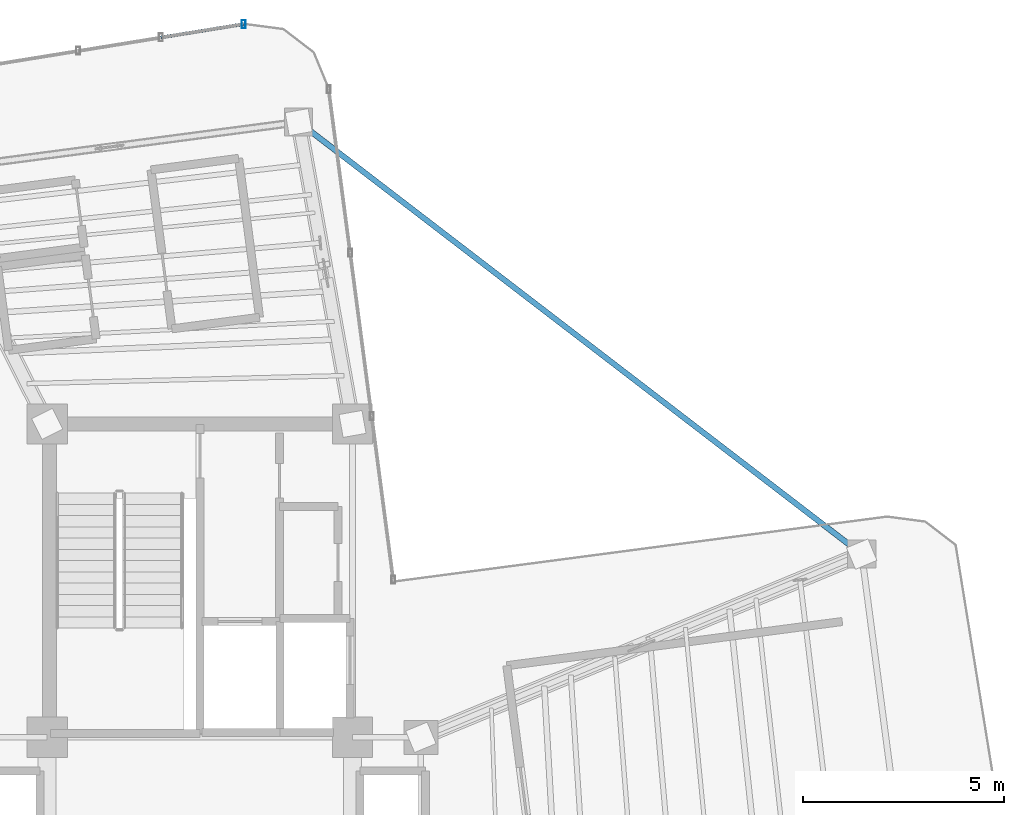
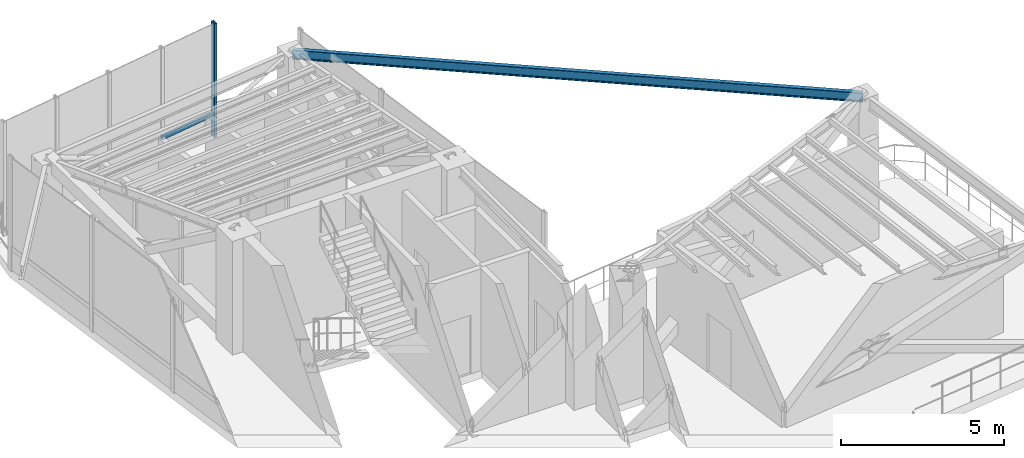
# One storey, part 10 of 17: 2 members, 1 beam, 1 element without a shape of its own.
"""IFC4 building model written with IfcOpenShell, lengths in metres."""

import ifcopenshell
import ifcopenshell.guid

model = None  # the IFC model being written
_history = None  # IfcOwnerHistory: only IFC2X3 demands one
_inside = {}  # id of a spatial element -> (the spatial element, [elements in it])
_under = {}  # id of a project, library or spatial element -> (it, [spatial elements below it])
_declared = {}  # id of a project -> (the project, [libraries it declares])
_typed = {}  # id of a type object -> (the type object, [elements of that type])
_made_of = {}  # id of a material, layer set ... -> (it, [elements and type objects made of it])


def new_model(schema):
    """Start an empty IFC model of exactly this schema.

    Asked for "IFC4X3", IfcOpenShell would pick the latest addendum, in which some entities
    have other attributes; the version numbers below select the first issue.
    IFC2X3 requires an IfcOwnerHistory on every rooted entity: one is made here for all.
    """
    global model, _history
    if schema == "IFC4X3":
        model = ifcopenshell.file(schema_version=(4, 3, 0, 0))
    else:
        model = ifcopenshell.file(schema=schema)
    _inside.clear()
    _under.clear()
    _declared.clear()
    _typed.clear()
    _made_of.clear()
    _history = None
    if model.schema == "IFC2X3":
        org = make("IfcOrganization", Name="unknown")
        user = make(
            "IfcPersonAndOrganization",
            ThePerson=make("IfcPerson", FamilyName="unknown"),
            TheOrganization=org,
        )
        app = make(
            "IfcApplication",
            ApplicationDeveloper=org,
            Version="unknown",
            ApplicationFullName="unknown",
            ApplicationIdentifier="unknown",
        )
        _history = make(
            "IfcOwnerHistory",
            OwningUser=user,
            OwningApplication=app,
            ChangeAction="ADDED",
            CreationDate=0,
        )
    return model


def make(cls, **values):
    """One entity of the class cls with the attributes given. An attribute that is None is left unset."""
    return model.create_entity(
        cls, **{name: value for name, value in values.items() if value is not None}
    )


def rooted(cls, **values):
    """An entity with a GlobalId (a new one), such as an element, a storey or a relation."""
    return make(cls, GlobalId=ifcopenshell.guid.new(), OwnerHistory=_history, **values)


def si_unit(unit_type, name, prefix=None):
    """IfcSIUnit, for example si_unit("LENGTHUNIT", "METRE", prefix="MILLI")."""
    return make("IfcSIUnit", UnitType=unit_type, Prefix=prefix, Name=name)


def assignment(units):
    """IfcUnitAssignment: the units of a project."""
    return None if units is None else make("IfcUnitAssignment", Units=units)


def point(xyz):
    """IfcCartesianPoint."""
    return None if xyz is None else make("IfcCartesianPoint", Coordinates=xyz)


def direction(xyz):
    """IfcDirection."""
    return None if xyz is None else make("IfcDirection", DirectionRatios=xyz)


def frame(location, z_axis=None, x_axis=None):
    """IfcAxis2Placement3D, a coordinate frame: its origin and axes. An axis left out is left unset."""
    return make(
        "IfcAxis2Placement3D",
        Location=point(location),
        Axis=direction(z_axis),
        RefDirection=direction(x_axis),
    )


def frame_2d(location, x_axis=None):
    """IfcAxis2Placement2D, a coordinate frame in the plane: its origin and x axis."""
    return make(
        "IfcAxis2Placement2D", Location=point(location), RefDirection=direction(x_axis)
    )


def origin():
    """The frame at (0, 0, 0) with its axes left unset."""
    return frame((0.0, 0.0, 0.0))


def origin_2d():
    """The frame at (0, 0) in the plane with its x axis left unset."""
    return frame_2d((0.0, 0.0))


def place(relative_to, where):
    """IfcLocalPlacement: puts the frame where relative to a parent placement (None: the world)."""
    return make(
        "IfcLocalPlacement", PlacementRelTo=relative_to, RelativePlacement=where
    )


def context(
    kind, dimensions, precision=None, world=None, true_north=None, identifier=None
):
    """IfcGeometricRepresentationContext, for example the 3D "Model" context."""
    return make(
        "IfcGeometricRepresentationContext",
        ContextIdentifier=identifier,
        ContextType=kind,
        CoordinateSpaceDimension=dimensions,
        Precision=precision,
        WorldCoordinateSystem=world,
        TrueNorth=true_north,
    )


def subcontext(parent, identifier, kind, view, scale=None):
    """IfcGeometricRepresentationSubContext, for example "Body" below "Model"."""
    return make(
        "IfcGeometricRepresentationSubContext",
        ContextIdentifier=identifier,
        ContextType=kind,
        ParentContext=parent,
        TargetScale=scale,
        TargetView=view,
    )


def project(units=None, contexts=None):
    """IfcProject with its units and contexts."""
    return rooted(
        "IfcProject",
        Name="project",
        RepresentationContexts=contexts,
        UnitsInContext=assignment(units),
    )


def spatial(cls, under=None, at=None, **own):
    """A site, building, storey or space (cls), placed at a placement, below another one or the project."""
    s = rooted(cls, ObjectPlacement=at, **own)
    if under is not None:
        _under.setdefault(under.id(), (under, []))[1].append(s)
    return s


def profile(cls, at=None, kind="AREA", **sizes):
    """A parametric profile (cls). Its sizes go by their IFC names, for example OverallWidth=200.0."""
    return make(cls, ProfileType=kind, Position=at, **sizes)


def hollow_rectangle(**sizes):
    """IfcRectangleHollowProfileDef."""
    return profile("IfcRectangleHollowProfileDef", **sizes)


def i_section(**sizes):
    """IfcIShapeProfileDef."""
    return profile("IfcIShapeProfileDef", **sizes)


def extrude(swept, where, along, depth):
    """IfcExtrudedAreaSolid: the profile swept, set in the frame where, extruded along a direction by depth."""
    return make(
        "IfcExtrudedAreaSolid",
        SweptArea=swept,
        Position=where,
        ExtrudedDirection=direction(along),
        Depth=depth,
    )


def shape(context_of_items, identifier, shape_type, items):
    """IfcShapeRepresentation: the items that make up one representation, for example the "Body"."""
    return make(
        "IfcShapeRepresentation",
        ContextOfItems=context_of_items,
        RepresentationIdentifier=identifier,
        RepresentationType=shape_type,
        Items=items,
    )


def source(mapping_origin, context_of_items, identifier, shape_type, items):
    """IfcRepresentationMap: a shape defined once, which mapped items show again and again."""
    return make(
        "IfcRepresentationMap",
        MappingOrigin=mapping_origin,
        MappedRepresentation=shape(context_of_items, identifier, shape_type, items),
    )


def transform(
    local_origin,
    x_axis=None,
    y_axis=None,
    z_axis=None,
    scale=None,
    scale2=None,
    scale3=None,
    uniform=True,
):
    """IfcCartesianTransformationOperator3D, or its non-uniform kind. x_axis, y_axis, z_axis: its Axis1, 2, 3."""
    if uniform:
        return make(
            "IfcCartesianTransformationOperator3D",
            Axis1=direction(x_axis),
            Axis2=direction(y_axis),
            LocalOrigin=point(local_origin),
            Scale=scale,
            Axis3=direction(z_axis),
        )
    return make(
        "IfcCartesianTransformationOperator3DnonUniform",
        Axis1=direction(x_axis),
        Axis2=direction(y_axis),
        LocalOrigin=point(local_origin),
        Scale=scale,
        Axis3=direction(z_axis),
        Scale2=scale2,
        Scale3=scale3,
    )


def mapped(mapping_source, mapping_target):
    """IfcMappedItem: shows the shape of a source again, moved by a transform."""
    return make(
        "IfcMappedItem", MappingSource=mapping_source, MappingTarget=mapping_target
    )


def material(Name=None, Category=None):
    """IfcMaterial."""
    return make("IfcMaterial", Name=Name, Category=Category)


def material_profile(
    of_material, cross_section, Name=None, Category=None, Priority=None
):
    """IfcMaterialProfile: a cross section and its material."""
    return make(
        "IfcMaterialProfile",
        Name=Name,
        Material=of_material,
        Profile=cross_section,
        Priority=Priority,
        Category=Category,
    )


def profile_set(profiles, Name=None, composite=None):
    """IfcMaterialProfileSet."""
    return make(
        "IfcMaterialProfileSet",
        Name=Name,
        MaterialProfiles=profiles,
        CompositeProfile=composite,
    )


def made_of(thing, what):
    """Note that an element or type object is made of a material, layer set ...; save() writes the relation."""
    if what is not None:
        _made_of.setdefault(what.id(), (what, []))[1].append(thing)
    return thing


def type_object(cls, material=None, **own):
    """A type object (cls), such as IfcWallType, which elements share."""
    return made_of(rooted(cls, **own), material)


def element(
    cls,
    number,
    at=None,
    inside=None,
    cuts=None,
    type_object=None,
    material=None,
    context=None,
    identifier="Body",
    shape_type=None,
    held_by="IfcProductDefinitionShape",
    body=None,
    shapes=None,
    **own,
):
    """One element of the class cls, such as IfcWall. Its Tag is "e" and its number.

    at: its placement. inside: the storey or other place that contains it. cuts: it is an
    opening in that element (IfcRelVoidsElement). A single representation is given by context,
    identifier, shape_type and body (its items); several are given by shapes. held_by: the class
    of the entity that holds the representations. save() writes the other relations.
    """
    e = rooted(cls, Tag="e%d" % number, ObjectPlacement=at, **own)
    if body is not None:
        shapes = [shape(context, identifier, shape_type, body)]
    if shapes is not None:
        e.Representation = make(held_by, Representations=shapes)
    if inside is not None:
        _inside.setdefault(inside.id(), (inside, []))[1].append(e)
    if cuts is not None:
        rooted(
            "IfcRelVoidsElement", RelatingBuildingElement=cuts, RelatedOpeningElement=e
        )
    if type_object is not None:
        _typed.setdefault(type_object.id(), (type_object, []))[1].append(e)
    return made_of(e, material)


def aggregate(whole, parts):
    """IfcRelAggregates: a whole, such as a stair, and the parts it consists of."""
    return rooted("IfcRelAggregates", RelatingObject=whole, RelatedObjects=parts)


def save(model, path):
    """Write the relations noted so far, then the file.

    IfcRelAggregates (storeys below a building ...), IfcRelContainedInSpatialStructure (elements
    in a storey), IfcRelDefinesByType, IfcRelAssociatesMaterial and IfcRelDeclares: one each for
    every whole, place, type object, material and project.
    """
    for whole, parts in _under.values():
        aggregate(whole, parts)
    for where, things in _inside.values():
        rooted(
            "IfcRelContainedInSpatialStructure",
            RelatedElements=things,
            RelatingStructure=where,
        )
    for kind, things in _typed.values():
        rooted("IfcRelDefinesByType", RelatedObjects=things, RelatingType=kind)
    for what, things in _made_of.values():
        rooted("IfcRelAssociatesMaterial", RelatedObjects=things, RelatingMaterial=what)
    for by, libraries in _declared.values():
        rooted("IfcRelDeclares", RelatingContext=by, RelatedDefinitions=libraries)
    model.write(path)


model = new_model("IFC4")

# Units and contexts
model_context = context("Model", 3, precision=1e-05, world=origin(), true_north=direction((0.0, 1.0)))
body_context = subcontext(model_context, "Body", "Model", "MODEL_VIEW")
ifc_project = project(units=[si_unit("LENGTHUNIT", "METRE"), si_unit("AREAUNIT", "SQUARE_METRE"), si_unit("VOLUMEUNIT", "CUBIC_METRE"), si_unit("PLANEANGLEUNIT", "RADIAN"), si_unit("MASSUNIT", "GRAM", prefix="KILO")], contexts=[model_context])

# Site, building, storey
site_placement = place(None, origin())
site = spatial("IfcSite", under=ifc_project, at=site_placement, CompositionType="ELEMENT")
building_placement = place(site_placement, origin())
building = spatial("IfcBuilding", under=site, at=building_placement, Name="Sahyath Konkavel Grand Hotel", CompositionType="ELEMENT")
storey_placement = place(building_placement, frame((0.0, 0.0, 264.60009765625)))
storey = spatial("IfcBuildingStorey", under=building, at=storey_placement, Name="L74", CompositionType="ELEMENT", Elevation=264.60009765625)

# Beam
ifc_material_1 = material(Name="Steel E350", Category="steel")
ifc_material_profile_1 = material_profile(ifc_material_1, i_section(OverallWidth=0.139892578125, OverallDepth=0.35009765625, WebThickness=0.008056640625, FlangeThickness=0.01416015625, FilletRadius=0.013916015625, at=origin_2d()), Name="ISMB 350")
ifc_profile_set_1 = profile_set([ifc_material_profile_1], Name="Steel E350")
beam_type = type_object("IfcBeamType", Name="BM-ISMB350", PredefinedType="BEAM", material=ifc_profile_set_1)
shared_shape_1 = source(origin(), body_context, "Body", "SweptSolid", [
    extrude(i_section(OverallWidth=0.139892578125, OverallDepth=0.35009765625, WebThickness=0.008056640625, FlangeThickness=0.01416015625, FilletRadius=0.013916015625, at=origin_2d()), origin(), (0.0, 0.0, 1.0), 17.663330078125),
])
beam_placement = place(storey_placement, frame((16.472412109375, 6.959716796875, 4.0849609375), z_axis=(-0.793358692504, 0.608754453805, 0.0), x_axis=(-0.608754453805, -0.793358692504, 0.0)))
element("IfcBeam", 1, at=beam_placement, inside=storey, type_object=beam_type, Name="L74 Re-Entrant Tie Beam NE", PredefinedType="BEAM", context=body_context, shape_type="MappedRepresentation", body=[
    mapped(shared_shape_1, transform((0.0, 0.0, 0.0), scale=1.0)),
])

# Curtain wall, members
ifc_material_2 = material(Name="Anodised Bronze Aluminium & Low-E Glazing", Category="aluminium")
curtain_wall_type = type_object("IfcCurtainWallType", Name="CW-SKYLOBBY", PredefinedType="NOTDEFINED", material=ifc_material_2)
curtain_wall_placement = place(storey_placement, origin())
curtain_wall = element("IfcCurtainWall", 2, at=curtain_wall_placement, inside=storey, type_object=curtain_wall_type, Name="L74 Unitised Curtain Wall RF12", PredefinedType="NOTDEFINED")
ifc_material_3 = material(Name="Anodised Bronze Aluminium", Category="aluminium")
ifc_material_profile_2 = material_profile(ifc_material_3, hollow_rectangle(XDim=0.10009765625, YDim=0.199951171875, WallThickness=0.008056640625, at=origin_2d()), Name="RHS 200x100x8")
ifc_profile_set_2 = profile_set([ifc_material_profile_2], Name="Anodised Bronze Aluminium")
member_type_1 = type_object("IfcMemberType", Name="CW-MUL-200", PredefinedType="MULLION", material=ifc_profile_set_2)
shared_shape_2 = source(origin(), body_context, "Body", "SweptSolid", [
    extrude(hollow_rectangle(XDim=0.10009765625, YDim=0.199951171875, WallThickness=0.008056640625, at=origin_2d()), origin(), (0.0, 0.0, 1.0), 4.260009765625),
])
member_1_placement = place(storey_placement, frame((1.0888671875, 20.1533203125, 0.0), z_axis=(0.0, 0.0, 1.0), x_axis=(1.0, 0.0, 0.0)))
member_1 = element("IfcMember", 3, at=member_1_placement, type_object=member_type_1, Name="L74 Curtain Wall Mullion RF12-0", PredefinedType="MULLION", context=body_context, shape_type="MappedRepresentation", body=[
    mapped(shared_shape_2, transform((0.0, 0.0, 0.0), scale=1.0)),
])
ifc_material_profile_3 = material_profile(ifc_material_3, hollow_rectangle(XDim=0.080078125, YDim=0.159912109375, WallThickness=0.006103515625, at=origin_2d()), Name="RHS 160x80x6")
ifc_profile_set_3 = profile_set([ifc_material_profile_3], Name="Anodised Bronze Aluminium")
member_type_2 = type_object("IfcMemberType", Name="CW-TRN-160", PredefinedType="USERDEFINED", material=ifc_profile_set_3)
shared_shape_3 = source(origin(), body_context, "Body", "SweptSolid", [
    extrude(hollow_rectangle(XDim=0.080078125, YDim=0.159912109375, WallThickness=0.006103515625, at=origin_2d()), origin(), (0.0, 0.0, 1.0), 2.08740234375),
])
member_2_placement = place(storey_placement, frame((1.0888671875, 20.1533203125, 0.849853515625), z_axis=(-0.98719124923, -0.159541334591, 0.0), x_axis=(0.159541334591, -0.98719124923, 0.0)))
member_2 = element("IfcMember", 4, at=member_2_placement, type_object=member_type_2, Name="L74 Curtain Wall Transom RF12-0-spandrel", ObjectType="TRANSOM", PredefinedType="USERDEFINED", context=body_context, shape_type="MappedRepresentation", body=[
    mapped(shared_shape_3, transform((0.0, 0.0, 0.0), scale=1.0)),
])
aggregate(curtain_wall, [member_1, member_2])

save(model, "model.ifc")
